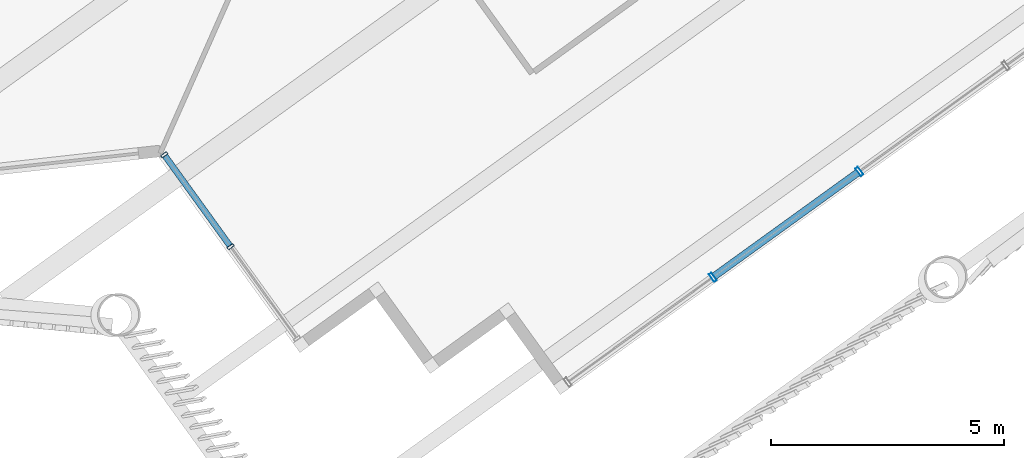
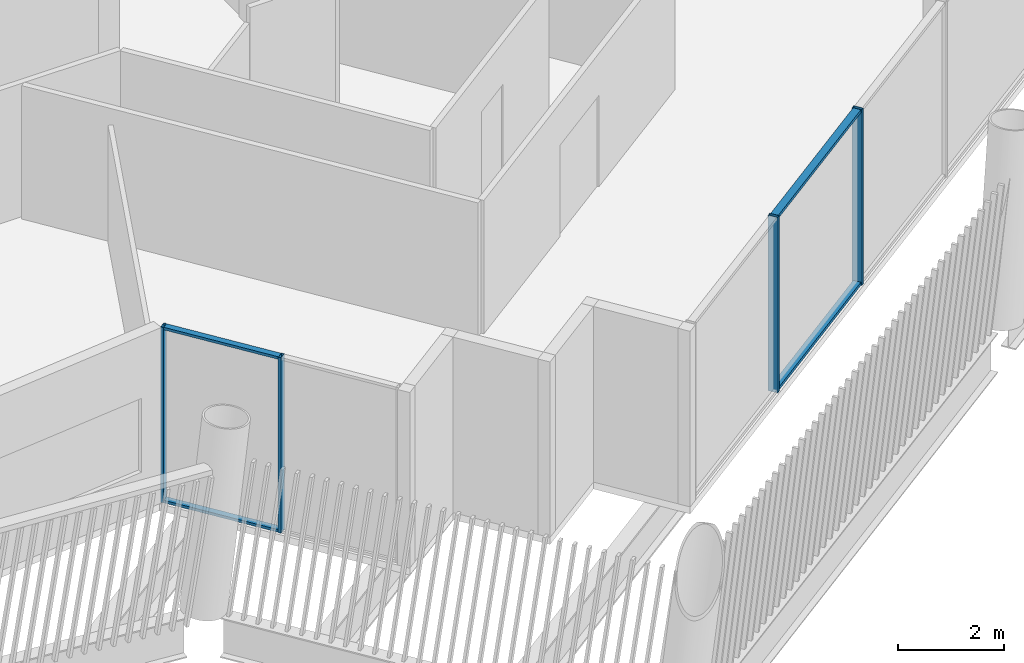
# One storey, part 9 of 27: 8 members, 2 elements without a shape of their own.
"""IFC4 building model written with IfcOpenShell, lengths in metres."""

from ifc_helpers import new_model, si_unit, direction, frame, origin, origin_2d, place, context, subcontext, project, spatial, hollow_rectangle, extrude, material, layer, layer_set, material_profile, profile_set, type_object, element, aggregate, save


model = new_model("IFC4")

# Units and contexts
model_context = context("Model", 3, precision=1e-05, world=origin(), true_north=direction((0.0, 1.0)))
body_context = subcontext(model_context, "Body", "Model", "MODEL_VIEW")
ifc_project = project(units=[si_unit("LENGTHUNIT", "METRE"), si_unit("AREAUNIT", "SQUARE_METRE"), si_unit("VOLUMEUNIT", "CUBIC_METRE"), si_unit("PLANEANGLEUNIT", "RADIAN"), si_unit("MASSUNIT", "GRAM", prefix="KILO")], contexts=[model_context])

# Site, building, storey
site_placement = place(None, origin())
site = spatial("IfcSite", under=ifc_project, at=site_placement, CompositionType="ELEMENT")
building_placement = place(site_placement, origin())
building = spatial("IfcBuilding", under=site, at=building_placement, Name="Tarsis Ring Headquarters", CompositionType="ELEMENT")
storey_placement = place(building_placement, frame((0.0, 0.0, 373.39990234375)))
storey = spatial("IfcBuildingStorey", under=building, at=storey_placement, Name="L88", CompositionType="ELEMENT", Elevation=373.39990234375)

# Curtain wall, members
ifc_material_1 = material(Name="Aluminium curtain wall", Category="aluminium")
ifc_layer_1 = layer(ifc_material_1, 0.199951171875)
ifc_layer_set_1 = layer_set([ifc_layer_1], Name="Curtain wall executive tip")
curtain_wall_type_1 = type_object("IfcCurtainWallType", Name="Curtain wall executive tip", PredefinedType="NOTDEFINED", material=ifc_layer_set_1)
curtain_wall_1_placement = place(storey_placement, origin())
curtain_wall_1 = element("IfcCurtainWall", 1, at=curtain_wall_1_placement, inside=storey, type_object=curtain_wall_type_1, Name="Curtain wall L88-11", PredefinedType="NOTDEFINED")
ifc_material_2 = material(Name="Aluminium mullion", Category="aluminium")
ifc_material_profile_1 = material_profile(ifc_material_2, hollow_rectangle(XDim=0.199951171875, YDim=0.070068359375, WallThickness=0.0048828125, at=origin_2d()), Name="RHS 200x70x5")
ifc_profile_set_1 = profile_set([ifc_material_profile_1], Name="Aluminium mullion")
member_type_1 = type_object("IfcMemberType", Name="Curtain wall mullion executive tip RHS 200x70x5", PredefinedType="MULLION", material=ifc_profile_set_1)
member_1_placement = place(storey_placement, frame((15.522216796875, -28.108642578125, 0.0), z_axis=(0.0, 0.0, 1.0), x_axis=(-0.58552372668, 0.810655269208, 0.0)))
member_1 = element("IfcMember", 2, at=member_1_placement, type_object=member_type_1, Name="CW-E mullion 2", PredefinedType="MULLION", context=body_context, shape_type="SweptSolid", body=[
    extrude(hollow_rectangle(XDim=0.199951171875, YDim=0.070068359375, WallThickness=0.0048828125, at=origin_2d()), origin(), (0.0, 0.0, 1.0), 4.0400390625),
])
member_2_placement = place(storey_placement, frame((18.66357421875, -25.839599609375, 0.0), z_axis=(0.0, 0.0, 1.0), x_axis=(-0.58552372668, 0.810655269208, 0.0)))
member_2 = element("IfcMember", 3, at=member_2_placement, type_object=member_type_1, Name="CW-E mullion 3", PredefinedType="MULLION", context=body_context, shape_type="SweptSolid", body=[
    extrude(hollow_rectangle(XDim=0.199951171875, YDim=0.070068359375, WallThickness=0.0048828125, at=origin_2d()), origin(), (0.0, 0.0, 1.0), 4.0400390625),
])

ifc_layer_2 = layer(ifc_material_1, 0.14990234375)
ifc_layer_set_2 = layer_set([ifc_layer_2], Name="Curtain wall tower unit")
curtain_wall_type_2 = type_object("IfcCurtainWallType", Name="Curtain wall tower unit", PredefinedType="NOTDEFINED", material=ifc_layer_set_2)
curtain_wall_2_placement = place(storey_placement, origin())
curtain_wall_2 = element("IfcCurtainWall", 4, at=curtain_wall_2_placement, inside=storey, type_object=curtain_wall_type_2, Name="Curtain wall L88-06", PredefinedType="NOTDEFINED")
ifc_material_profile_2 = material_profile(ifc_material_2, hollow_rectangle(XDim=0.14990234375, YDim=0.06005859375, WallThickness=0.0048828125, at=origin_2d()), Name="RHS 150x60x5")
ifc_profile_set_2 = profile_set([ifc_material_profile_2], Name="Aluminium mullion")
member_type_2 = type_object("IfcMemberType", Name="Curtain wall mullion tower unit RHS 150x60x5", PredefinedType="MULLION", material=ifc_profile_set_2)
member_3_placement = place(storey_placement, frame((3.75732421875, -25.483154296875, 0.0), z_axis=(0.0, 0.0, 1.0), x_axis=(0.810655242577, 0.585523763551, 0.0)))
member_3 = element("IfcMember", 5, at=member_3_placement, type_object=member_type_2, Name="CW-T mullion 1", PredefinedType="MULLION", context=body_context, shape_type="SweptSolid", body=[
    extrude(hollow_rectangle(XDim=0.14990234375, YDim=0.06005859375, WallThickness=0.0048828125, at=origin_2d()), origin(), (0.0, 0.0, 1.0), 4.0400390625),
])
member_4_placement = place(storey_placement, frame((5.1806640625, -27.453857421875, 0.0), z_axis=(0.0, 0.0, 1.0), x_axis=(0.810655242577, 0.585523763551, 0.0)))
member_4 = element("IfcMember", 6, at=member_4_placement, type_object=member_type_2, Name="CW-T mullion 2", PredefinedType="MULLION", context=body_context, shape_type="SweptSolid", body=[
    extrude(hollow_rectangle(XDim=0.14990234375, YDim=0.06005859375, WallThickness=0.0048828125, at=origin_2d()), origin(), (0.0, 0.0, 1.0), 4.0400390625),
])

# Member
ifc_material_3 = material(Name="Aluminium transom", Category="aluminium")
ifc_material_profile_3 = material_profile(ifc_material_3, hollow_rectangle(XDim=0.159912109375, YDim=0.070068359375, WallThickness=0.0048828125, at=origin_2d()), Name="RHS 160x70x5")
ifc_profile_set_3 = profile_set([ifc_material_profile_3], Name="Aluminium transom")
member_type_3 = type_object("IfcMemberType", Name="Curtain wall transom executive tip RHS 160x70x5", PredefinedType="USERDEFINED", material=ifc_profile_set_3)
member_5_placement = place(storey_placement, frame((15.550537109375, -28.088134765625, 0.03515625), z_axis=(0.81065723395, 0.585521006492, 0.0), x_axis=(-0.585521006492, 0.81065723395, 0.0)))
member_5 = element("IfcMember", 7, at=member_5_placement, type_object=member_type_3, Name="CW-E transom 2.1", ObjectType="TRANSOM", PredefinedType="USERDEFINED", context=body_context, shape_type="SweptSolid", body=[
    extrude(hollow_rectangle(XDim=0.159912109375, YDim=0.070068359375, WallThickness=0.0048828125, at=origin_2d()), origin(), (0.0, 0.0, 1.0), 3.80517578125),
])

member_6_placement = place(storey_placement, frame((15.550537109375, -28.088134765625, 4.005126953125), z_axis=(0.81065723395, 0.585521006492, 0.0), x_axis=(-0.585521006492, 0.81065723395, 0.0)))
member_6 = element("IfcMember", 8, at=member_6_placement, type_object=member_type_3, Name="CW-E transom 2.2", ObjectType="TRANSOM", PredefinedType="USERDEFINED", context=body_context, shape_type="SweptSolid", body=[
    extrude(hollow_rectangle(XDim=0.159912109375, YDim=0.070068359375, WallThickness=0.0048828125, at=origin_2d()), origin(), (0.0, 0.0, 1.0), 3.80517578125),
])

aggregate(curtain_wall_1, [member_1, member_2, member_5, member_6])

ifc_material_profile_4 = material_profile(ifc_material_3, hollow_rectangle(XDim=0.1298828125, YDim=0.06005859375, WallThickness=0.0048828125, at=origin_2d()), Name="RHS 130x60x5")
ifc_profile_set_4 = profile_set([ifc_material_profile_4], Name="Aluminium transom")
member_type_4 = type_object("IfcMemberType", Name="Curtain wall transom tower unit RHS 130x60x5", PredefinedType="USERDEFINED", material=ifc_profile_set_4)
member_7_placement = place(storey_placement, frame((3.77490234375, -25.50732421875, 0.030029296875), z_axis=(0.585554460517, -0.810633069747, 0.0), x_axis=(0.810633069747, 0.585554460517, 0.0)))
member_7 = element("IfcMember", 9, at=member_7_placement, type_object=member_type_4, Name="CW-T transom 1.1", ObjectType="TRANSOM", PredefinedType="USERDEFINED", context=body_context, shape_type="SweptSolid", body=[
    extrude(hollow_rectangle(XDim=0.1298828125, YDim=0.06005859375, WallThickness=0.0048828125, at=origin_2d()), origin(), (0.0, 0.0, 1.0), 2.37109375),
])

member_8_placement = place(storey_placement, frame((3.77490234375, -25.50732421875, 4.010009765625), z_axis=(0.585554460517, -0.810633069747, 0.0), x_axis=(0.810633069747, 0.585554460517, 0.0)))
member_8 = element("IfcMember", 10, at=member_8_placement, type_object=member_type_4, Name="CW-T transom 1.2", ObjectType="TRANSOM", PredefinedType="USERDEFINED", context=body_context, shape_type="SweptSolid", body=[
    extrude(hollow_rectangle(XDim=0.1298828125, YDim=0.06005859375, WallThickness=0.0048828125, at=origin_2d()), origin(), (0.0, 0.0, 1.0), 2.37109375),
])

aggregate(curtain_wall_2, [member_3, member_4, member_7, member_8])

save(model, "model.ifc")
